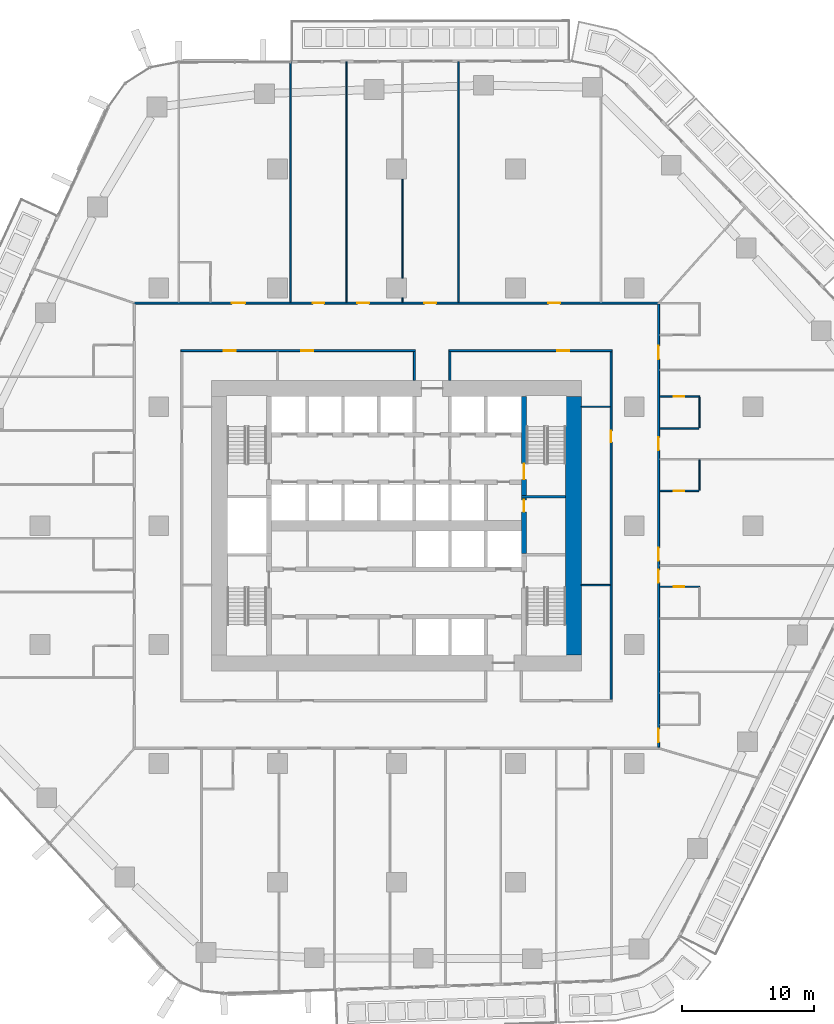
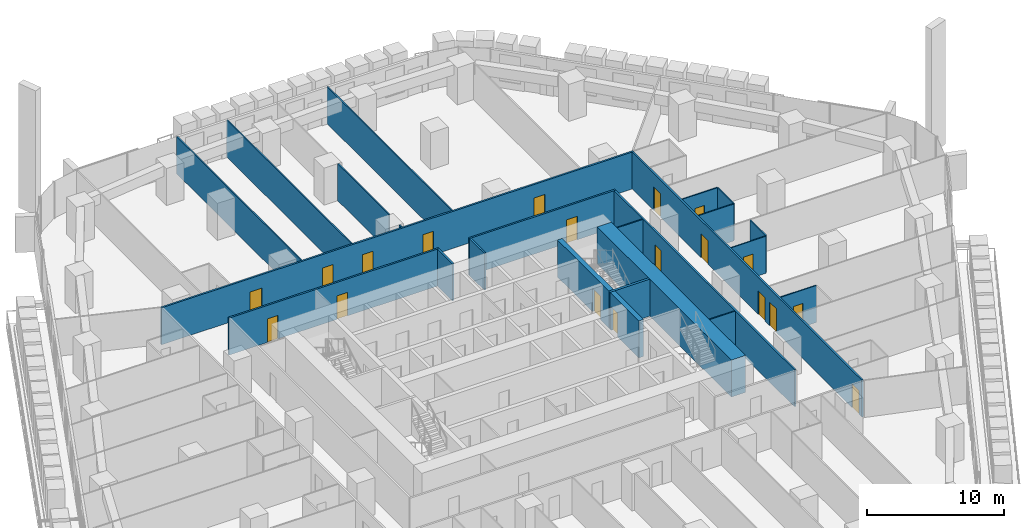
# One storey, part 17 of 27: 24 walls, 19 doors, 19 openings.
"""IFC4 building model written with IfcOpenShell, lengths in metres."""

from ifc_helpers import new_model, si_unit, direction, frame, frame_2d, origin, place, context, subcontext, project, spatial, rectangle, extrude, material, layer, layer_set, type_object, element, fill, save


model = new_model("IFC4")

# Units and contexts
model_context = context("Model", 3, precision=1e-05, world=origin(), true_north=direction((0.0, 1.0)))
body_context = subcontext(model_context, "Body", "Model", "MODEL_VIEW")
ifc_project = project(units=[si_unit("LENGTHUNIT", "METRE"), si_unit("AREAUNIT", "SQUARE_METRE"), si_unit("VOLUMEUNIT", "CUBIC_METRE"), si_unit("PLANEANGLEUNIT", "RADIAN"), si_unit("MASSUNIT", "GRAM", prefix="KILO")], contexts=[model_context])

# Site, building, storey
site_placement = place(None, origin())
site = spatial("IfcSite", under=ifc_project, at=site_placement, CompositionType="ELEMENT")
building_placement = place(site_placement, origin())
building = spatial("IfcBuilding", under=site, at=building_placement, Name="Dongbaek Canopy Tower", CompositionType="ELEMENT")
storey_placement = place(building_placement, frame((0.0, 0.0, 55.10009765625)))
storey = spatial("IfcBuildingStorey", under=building, at=storey_placement, Name="L09", CompositionType="ELEMENT", Elevation=55.10009765625)

# Wall
ifc_material_1 = material(Name="Concrete C60/75", Category="concrete")
ifc_layer_1 = layer(ifc_material_1, 1.199951171875)
ifc_layer_set_1 = layer_set([ifc_layer_1], Name="Core outer wall 1200 Concrete C60/75")
wall_type_1 = type_object("IfcWallType", Name="Core outer wall 1200 Concrete C60/75", PredefinedType="SHEAR", material=ifc_layer_set_1)
wall_1_placement = place(storey_placement, frame((13.39990234375, 9.800048828125, 0.0), z_axis=(0.0, 0.0, 1.0), x_axis=(0.0, -1.0, 0.0)))
element("IfcWall", 1, at=wall_1_placement, inside=storey, type_object=wall_type_1, Name="Core wall", PredefinedType="SHEAR", context=body_context, shape_type="SweptSolid", body=[
    extrude(rectangle(XDim=19.60009765625, YDim=1.199951171875, at=frame_2d((9.800048828125, 0.0))), origin(), (0.0, 0.0, 1.0), 3.2998046875),
])

# Wall, openings, doors
ifc_material_2 = material(Name="Gypsum board partition, steel stud, 2 x 15 mm fire board", Category="steel")
ifc_layer_2 = layer(ifc_material_2, 0.14990234375)
ifc_layer_set_2 = layer_set([ifc_layer_2], Name="Fire-rated partition 150 gypsum board")
wall_type_2 = type_object("IfcWallType", Name="Fire-rated partition 150 gypsum board", PredefinedType="PARTITIONING", material=ifc_layer_set_2)
wall_2_placement = place(storey_placement, frame((1.425048828125, 13.25, 0.0), z_axis=(0.0, 0.0, 1.0), x_axis=(-1.0, 0.0, 0.0)))
wall_2 = element("IfcWall", 2, at=wall_2_placement, inside=storey, type_object=wall_type_2, Name="Corridor partition", PredefinedType="PARTITIONING", context=body_context, shape_type="SweptSolid", body=[
    extrude(rectangle(XDim=17.75, YDim=0.14990234375, at=frame_2d((8.875, 0.0))), origin(), (0.0, 0.0, 1.0), 3.2998046875),
])
opening_1_placement = place(wall_2_placement, frame((7.72509765625, 0.0, 0.0)))
opening_1 = element("IfcOpeningElement", 3, at=opening_1_placement, cuts=wall_2, Name="Opening L09-D041", PredefinedType="OPENING", context=body_context, shape_type="SweptSolid", body=[
    extrude(rectangle(XDim=0.89990234375, YDim=2.10009765625, at=frame_2d((0.449951171875, 1.050048828125))), frame((0.0, 0.0849609375, 0.0), z_axis=(0.0, -1.0, 0.0), x_axis=(1.0, 0.0, 0.0)), (0.0, 0.0, 1.0), 0.169921875),
])
opening_2_placement = place(wall_2_placement, frame((13.60009765625, 0.0, 0.0)))
opening_2 = element("IfcOpeningElement", 4, at=opening_2_placement, cuts=wall_2, Name="Opening L09-D042", PredefinedType="OPENING", context=body_context, shape_type="SweptSolid", body=[
    extrude(rectangle(XDim=0.89990234375, YDim=2.10009765625, at=frame_2d((0.449951171875, 1.050048828125))), frame((0.0, 0.0849609375, 0.0), z_axis=(0.0, -1.0, 0.0), x_axis=(1.0, 0.0, 0.0)), (0.0, 0.0, 1.0), 0.169921875),
])
ifc_material_3 = material(Name="Timber veneered door leaf", Category="wood")
door_type_1 = type_object("IfcDoorType", Name="Room door 900 x 2100", OperationType="SINGLE_SWING_LEFT", PredefinedType="DOOR", material=ifc_material_3)
door_1_placement = place(opening_1_placement, origin())
door_1 = element("IfcDoor", 5, at=door_1_placement, inside=storey, type_object=door_type_1, Name="Door L09-D041", OperationType="SINGLE_SWING_RIGHT", OverallHeight=2.10009765625, OverallWidth=0.89990234375, PredefinedType="DOOR", context=body_context, shape_type="SweptSolid", body=[
    extrude(rectangle(XDim=0.89990234375, YDim=2.10009765625, at=frame_2d((0.449951171875, 1.050048828125))), frame((0.0, 0.02490234375, 0.0), z_axis=(0.0, -1.0, 0.0), x_axis=(1.0, 0.0, 0.0)), (0.0, 0.0, 1.0), 0.050048828125),
])
fill(opening_1, door_1)
door_2_placement = place(opening_2_placement, origin())
door_2 = element("IfcDoor", 6, at=door_2_placement, inside=storey, type_object=door_type_1, Name="Door L09-D042", OperationType="SINGLE_SWING_LEFT", OverallHeight=2.10009765625, OverallWidth=0.89990234375, PredefinedType="DOOR", context=body_context, shape_type="SweptSolid", body=[
    extrude(rectangle(XDim=0.89990234375, YDim=2.10009765625, at=frame_2d((0.449951171875, 1.050048828125))), frame((0.0, 0.02490234375, 0.0), z_axis=(0.0, -1.0, 0.0), x_axis=(1.0, 0.0, 0.0)), (0.0, 0.0, 1.0), 0.050048828125),
])
fill(opening_2, door_2)

# Wall, opening, door
wall_3_placement = place(storey_placement, frame((16.324951171875, 13.25, 0.0), z_axis=(0.0, 0.0, 1.0), x_axis=(-1.0, 0.0, 0.0)))
wall_3 = element("IfcWall", 7, at=wall_3_placement, inside=storey, type_object=wall_type_2, Name="Corridor partition", PredefinedType="PARTITIONING", context=body_context, shape_type="SweptSolid", body=[
    extrude(rectangle(XDim=12.349853515625, YDim=0.14990234375, at=frame_2d((6.1748046875, 0.0))), origin(), (0.0, 0.0, 1.0), 3.2998046875),
])
opening_3_placement = place(wall_3_placement, frame((3.25, 0.0, 0.0)))
opening_3 = element("IfcOpeningElement", 8, at=opening_3_placement, cuts=wall_3, Name="Opening L09-D040", PredefinedType="OPENING", context=body_context, shape_type="SweptSolid", body=[
    extrude(rectangle(XDim=0.89990234375, YDim=2.10009765625, at=frame_2d((0.449951171875, 1.050048828125))), frame((0.0, 0.0849609375, 0.0), z_axis=(0.0, -1.0, 0.0), x_axis=(1.0, 0.0, 0.0)), (0.0, 0.0, 1.0), 0.169921875),
])
door_3_placement = place(opening_3_placement, origin())
door_3 = element("IfcDoor", 9, at=door_3_placement, inside=storey, type_object=door_type_1, Name="Door L09-D040", OperationType="SINGLE_SWING_LEFT", OverallHeight=2.10009765625, OverallWidth=0.89990234375, PredefinedType="DOOR", context=body_context, shape_type="SweptSolid", body=[
    extrude(rectangle(XDim=0.89990234375, YDim=2.10009765625, at=frame_2d((0.449951171875, 1.050048828125))), frame((0.0, 0.02490234375, 0.0), z_axis=(0.0, -1.0, 0.0), x_axis=(1.0, 0.0, 0.0)), (0.0, 0.0, 1.0), 0.050048828125),
])
fill(opening_3, door_3)

# Wall, openings, doors
wall_4_placement = place(storey_placement, frame((-19.925048828125, 16.85009765625, 0.0), z_axis=(0.0, 0.0, 1.0), x_axis=(1.0, 0.0, 0.0)))
wall_4 = element("IfcWall", 10, at=wall_4_placement, inside=storey, type_object=wall_type_2, Name="Corridor partition", PredefinedType="PARTITIONING", context=body_context, shape_type="SweptSolid", body=[
    extrude(rectangle(XDim=39.85009765625, YDim=0.14990234375, at=frame_2d((19.925048828125, 0.0))), origin(), (0.0, 0.0, 1.0), 3.2998046875),
])
opening_4_placement = place(wall_4_placement, frame((31.43310546875, 0.0, 0.0)))
opening_4 = element("IfcOpeningElement", 11, at=opening_4_placement, cuts=wall_4, Name="Opening L09-D025", PredefinedType="OPENING", context=body_context, shape_type="SweptSolid", body=[
    extrude(rectangle(XDim=0.89990234375, YDim=2.10009765625, at=frame_2d((0.449951171875, 1.050048828125))), frame((0.0, 0.0849609375, 0.0), z_axis=(0.0, -1.0, 0.0), x_axis=(1.0, 0.0, 0.0)), (0.0, 0.0, 1.0), 0.169921875),
])
opening_5_placement = place(wall_4_placement, frame((22.043212890625, 0.0, 0.0)))
opening_5 = element("IfcOpeningElement", 12, at=opening_5_placement, cuts=wall_4, Name="Opening L09-D026", PredefinedType="OPENING", context=body_context, shape_type="SweptSolid", body=[
    extrude(rectangle(XDim=0.89990234375, YDim=2.10009765625, at=frame_2d((0.449951171875, 1.050048828125))), frame((0.0, 0.0849609375, 0.0), z_axis=(0.0, -1.0, 0.0), x_axis=(1.0, 0.0, 0.0)), (0.0, 0.0, 1.0), 0.169921875),
])
opening_6_placement = place(wall_4_placement, frame((16.95703125, 0.0, 0.0)))
opening_6 = element("IfcOpeningElement", 13, at=opening_6_placement, cuts=wall_4, Name="Opening L09-D027", PredefinedType="OPENING", context=body_context, shape_type="SweptSolid", body=[
    extrude(rectangle(XDim=0.89990234375, YDim=2.10009765625, at=frame_2d((0.449951171875, 1.050048828125))), frame((0.0, 0.0849609375, 0.0), z_axis=(0.0, -1.0, 0.0), x_axis=(1.0, 0.0, 0.0)), (0.0, 0.0, 1.0), 0.169921875),
])
opening_7_placement = place(wall_4_placement, frame((13.572265625, 0.0, 0.0)))
opening_7 = element("IfcOpeningElement", 14, at=opening_7_placement, cuts=wall_4, Name="Opening L09-D028", PredefinedType="OPENING", context=body_context, shape_type="SweptSolid", body=[
    extrude(rectangle(XDim=0.89990234375, YDim=2.10009765625, at=frame_2d((0.449951171875, 1.050048828125))), frame((0.0, 0.0849609375, 0.0), z_axis=(0.0, -1.0, 0.0), x_axis=(1.0, 0.0, 0.0)), (0.0, 0.0, 1.0), 0.169921875),
])
opening_8_placement = place(wall_4_placement, frame((7.45849609375, 0.0, 0.0)))
opening_8 = element("IfcOpeningElement", 15, at=opening_8_placement, cuts=wall_4, Name="Opening L09-D030", PredefinedType="OPENING", context=body_context, shape_type="SweptSolid", body=[
    extrude(rectangle(XDim=1.0, YDim=2.10009765625, at=frame_2d((0.5, 1.050048828125))), frame((0.0, 0.0849609375, 0.0), z_axis=(0.0, -1.0, 0.0), x_axis=(1.0, 0.0, 0.0)), (0.0, 0.0, 1.0), 0.169921875),
])
ifc_material_4 = material(Name="Timber veneered door leaf", Category="wood")
door_type_2 = type_object("IfcDoorType", Name="Guest room door 1000 x 2100", OperationType="SINGLE_SWING_LEFT", PredefinedType="DOOR", material=ifc_material_4)
door_4_placement = place(opening_8_placement, origin())
door_4 = element("IfcDoor", 16, at=door_4_placement, inside=storey, type_object=door_type_2, Name="Door L09-D030", OperationType="SINGLE_SWING_LEFT", OverallHeight=2.10009765625, OverallWidth=1.0, PredefinedType="DOOR", context=body_context, shape_type="SweptSolid", body=[
    extrude(rectangle(XDim=1.0, YDim=2.10009765625, at=frame_2d((0.5, 1.050048828125))), frame((0.0, 0.02490234375, 0.0), z_axis=(0.0, -1.0, 0.0), x_axis=(1.0, 0.0, 0.0)), (0.0, 0.0, 1.0), 0.050048828125),
])
fill(opening_8, door_4)
door_5_placement = place(opening_4_placement, origin())
door_5 = element("IfcDoor", 17, at=door_5_placement, inside=storey, type_object=door_type_1, Name="Door L09-D025", OperationType="SINGLE_SWING_LEFT", OverallHeight=2.10009765625, OverallWidth=0.89990234375, PredefinedType="DOOR", context=body_context, shape_type="SweptSolid", body=[
    extrude(rectangle(XDim=0.89990234375, YDim=2.10009765625, at=frame_2d((0.449951171875, 1.050048828125))), frame((0.0, 0.02490234375, 0.0), z_axis=(0.0, -1.0, 0.0), x_axis=(1.0, 0.0, 0.0)), (0.0, 0.0, 1.0), 0.050048828125),
])
fill(opening_4, door_5)
door_6_placement = place(opening_5_placement, origin())
door_6 = element("IfcDoor", 18, at=door_6_placement, inside=storey, type_object=door_type_1, Name="Door L09-D026", OperationType="SINGLE_SWING_RIGHT", OverallHeight=2.10009765625, OverallWidth=0.89990234375, PredefinedType="DOOR", context=body_context, shape_type="SweptSolid", body=[
    extrude(rectangle(XDim=0.89990234375, YDim=2.10009765625, at=frame_2d((0.449951171875, 1.050048828125))), frame((0.0, 0.02490234375, 0.0), z_axis=(0.0, -1.0, 0.0), x_axis=(1.0, 0.0, 0.0)), (0.0, 0.0, 1.0), 0.050048828125),
])
fill(opening_5, door_6)
door_7_placement = place(opening_6_placement, origin())
door_7 = element("IfcDoor", 19, at=door_7_placement, inside=storey, type_object=door_type_1, Name="Door L09-D027", OperationType="SINGLE_SWING_LEFT", OverallHeight=2.10009765625, OverallWidth=0.89990234375, PredefinedType="DOOR", context=body_context, shape_type="SweptSolid", body=[
    extrude(rectangle(XDim=0.89990234375, YDim=2.10009765625, at=frame_2d((0.449951171875, 1.050048828125))), frame((0.0, 0.02490234375, 0.0), z_axis=(0.0, -1.0, 0.0), x_axis=(1.0, 0.0, 0.0)), (0.0, 0.0, 1.0), 0.050048828125),
])
fill(opening_6, door_7)
door_8_placement = place(opening_7_placement, origin())
door_8 = element("IfcDoor", 20, at=door_8_placement, inside=storey, type_object=door_type_1, Name="Door L09-D028", OperationType="SINGLE_SWING_RIGHT", OverallHeight=2.10009765625, OverallWidth=0.89990234375, PredefinedType="DOOR", context=body_context, shape_type="SweptSolid", body=[
    extrude(rectangle(XDim=0.89990234375, YDim=2.10009765625, at=frame_2d((0.449951171875, 1.050048828125))), frame((0.0, 0.02490234375, 0.0), z_axis=(0.0, -1.0, 0.0), x_axis=(1.0, 0.0, 0.0)), (0.0, 0.0, 1.0), 0.050048828125),
])
fill(opening_7, door_8)

wall_5_placement = place(storey_placement, frame((19.85009765625, 16.77490234375, 0.0), z_axis=(0.0, 0.0, 1.0), x_axis=(0.0, -1.0, 0.0)))
wall_5 = element("IfcWall", 21, at=wall_5_placement, inside=storey, type_object=wall_type_2, Name="Corridor partition", PredefinedType="PARTITIONING", context=body_context, shape_type="SweptSolid", body=[
    extrude(rectangle(XDim=33.5498046875, YDim=0.14990234375, at=frame_2d((16.77490234375, 0.0))), origin(), (0.0, 0.0, 1.0), 3.2998046875),
])
opening_9_placement = place(wall_5_placement, frame((32.15771484375, 0.0, 0.0)))
opening_9 = element("IfcOpeningElement", 22, at=opening_9_placement, cuts=wall_5, Name="Opening L09-D016", PredefinedType="OPENING", context=body_context, shape_type="SweptSolid", body=[
    extrude(rectangle(XDim=1.0, YDim=2.10009765625, at=frame_2d((0.5, 1.050048828125))), frame((0.0, 0.0849609375, 0.0), z_axis=(0.0, -1.0, 0.0), x_axis=(1.0, 0.0, 0.0)), (0.0, 0.0, 1.0), 0.169921875),
])
opening_10_placement = place(wall_5_placement, frame((20.093505859375, 0.0, 0.0)))
opening_10 = element("IfcOpeningElement", 23, at=opening_10_placement, cuts=wall_5, Name="Opening L09-D018", PredefinedType="OPENING", context=body_context, shape_type="SweptSolid", body=[
    extrude(rectangle(XDim=1.0, YDim=2.10009765625, at=frame_2d((0.5, 1.050048828125))), frame((0.0, 0.0849609375, 0.0), z_axis=(0.0, -1.0, 0.0), x_axis=(1.0, 0.0, 0.0)), (0.0, 0.0, 1.0), 0.169921875),
])
opening_11_placement = place(wall_5_placement, frame((18.427978515625, 0.0, 0.0)))
opening_11 = element("IfcOpeningElement", 24, at=opening_11_placement, cuts=wall_5, Name="Opening L09-D020", PredefinedType="OPENING", context=body_context, shape_type="SweptSolid", body=[
    extrude(rectangle(XDim=1.0, YDim=2.10009765625, at=frame_2d((0.5, 1.050048828125))), frame((0.0, 0.0849609375, 0.0), z_axis=(0.0, -1.0, 0.0), x_axis=(1.0, 0.0, 0.0)), (0.0, 0.0, 1.0), 0.169921875),
])
opening_12_placement = place(wall_5_placement, frame((10.072265625, 0.0, 0.0)))
opening_12 = element("IfcOpeningElement", 25, at=opening_12_placement, cuts=wall_5, Name="Opening L09-D022", PredefinedType="OPENING", context=body_context, shape_type="SweptSolid", body=[
    extrude(rectangle(XDim=1.0, YDim=2.10009765625, at=frame_2d((0.5, 1.050048828125))), frame((0.0, 0.0849609375, 0.0), z_axis=(0.0, -1.0, 0.0), x_axis=(1.0, 0.0, 0.0)), (0.0, 0.0, 1.0), 0.169921875),
])
opening_13_placement = place(wall_5_placement, frame((3.15625, 0.0, 0.0)))
opening_13 = element("IfcOpeningElement", 26, at=opening_13_placement, cuts=wall_5, Name="Opening L09-D024", PredefinedType="OPENING", context=body_context, shape_type="SweptSolid", body=[
    extrude(rectangle(XDim=1.0, YDim=2.10009765625, at=frame_2d((0.5, 1.050048828125))), frame((0.0, 0.0849609375, 0.0), z_axis=(0.0, -1.0, 0.0), x_axis=(1.0, 0.0, 0.0)), (0.0, 0.0, 1.0), 0.169921875),
])
door_9_placement = place(opening_9_placement, origin())
door_9 = element("IfcDoor", 27, at=door_9_placement, inside=storey, type_object=door_type_2, Name="Door L09-D016", OperationType="SINGLE_SWING_RIGHT", OverallHeight=2.10009765625, OverallWidth=1.0, PredefinedType="DOOR", context=body_context, shape_type="SweptSolid", body=[
    extrude(rectangle(XDim=1.0, YDim=2.10009765625, at=frame_2d((0.5, 1.050048828125))), frame((0.0, 0.02490234375, 0.0), z_axis=(0.0, -1.0, 0.0), x_axis=(1.0, 0.0, 0.0)), (0.0, 0.0, 1.0), 0.050048828125),
])
fill(opening_9, door_9)
door_10_placement = place(opening_10_placement, origin())
door_10 = element("IfcDoor", 28, at=door_10_placement, inside=storey, type_object=door_type_2, Name="Door L09-D018", OperationType="SINGLE_SWING_RIGHT", OverallHeight=2.10009765625, OverallWidth=1.0, PredefinedType="DOOR", context=body_context, shape_type="SweptSolid", body=[
    extrude(rectangle(XDim=1.0, YDim=2.10009765625, at=frame_2d((0.5, 1.050048828125))), frame((0.0, 0.02490234375, 0.0), z_axis=(0.0, -1.0, 0.0), x_axis=(1.0, 0.0, 0.0)), (0.0, 0.0, 1.0), 0.050048828125),
])
fill(opening_10, door_10)
door_11_placement = place(opening_11_placement, origin())
door_11 = element("IfcDoor", 29, at=door_11_placement, inside=storey, type_object=door_type_2, Name="Door L09-D020", OperationType="SINGLE_SWING_LEFT", OverallHeight=2.10009765625, OverallWidth=1.0, PredefinedType="DOOR", context=body_context, shape_type="SweptSolid", body=[
    extrude(rectangle(XDim=1.0, YDim=2.10009765625, at=frame_2d((0.5, 1.050048828125))), frame((0.0, 0.02490234375, 0.0), z_axis=(0.0, -1.0, 0.0), x_axis=(1.0, 0.0, 0.0)), (0.0, 0.0, 1.0), 0.050048828125),
])
fill(opening_11, door_11)
door_12_placement = place(opening_12_placement, origin())
door_12 = element("IfcDoor", 30, at=door_12_placement, inside=storey, type_object=door_type_2, Name="Door L09-D022", OperationType="SINGLE_SWING_RIGHT", OverallHeight=2.10009765625, OverallWidth=1.0, PredefinedType="DOOR", context=body_context, shape_type="SweptSolid", body=[
    extrude(rectangle(XDim=1.0, YDim=2.10009765625, at=frame_2d((0.5, 1.050048828125))), frame((0.0, 0.02490234375, 0.0), z_axis=(0.0, -1.0, 0.0), x_axis=(1.0, 0.0, 0.0)), (0.0, 0.0, 1.0), 0.050048828125),
])
fill(opening_12, door_12)
door_13_placement = place(opening_13_placement, origin())
door_13 = element("IfcDoor", 31, at=door_13_placement, inside=storey, type_object=door_type_2, Name="Door L09-D024", OperationType="SINGLE_SWING_LEFT", OverallHeight=2.10009765625, OverallWidth=1.0, PredefinedType="DOOR", context=body_context, shape_type="SweptSolid", body=[
    extrude(rectangle(XDim=1.0, YDim=2.10009765625, at=frame_2d((0.5, 1.050048828125))), frame((0.0, 0.02490234375, 0.0), z_axis=(0.0, -1.0, 0.0), x_axis=(1.0, 0.0, 0.0)), (0.0, 0.0, 1.0), 0.050048828125),
])
fill(opening_13, door_13)

# Wall, opening, door
wall_6_placement = place(storey_placement, frame((16.25, -13.175048828125, 0.0), z_axis=(0.0, 0.0, 1.0), x_axis=(0.0, 1.0, 0.0)))
wall_6 = element("IfcWall", 32, at=wall_6_placement, inside=storey, type_object=wall_type_2, Name="Corridor partition", PredefinedType="PARTITIONING", context=body_context, shape_type="SweptSolid", body=[
    extrude(rectangle(XDim=26.35009765625, YDim=0.14990234375, at=frame_2d((13.175048828125, 0.0))), origin(), (0.0, 0.0, 1.0), 3.2998046875),
])
opening_14_placement = place(wall_6_placement, frame((19.47509765625, 0.0, 0.0)))
opening_14 = element("IfcOpeningElement", 33, at=opening_14_placement, cuts=wall_6, Name="Opening L09-D039", PredefinedType="OPENING", context=body_context, shape_type="SweptSolid", body=[
    extrude(rectangle(XDim=0.89990234375, YDim=2.10009765625, at=frame_2d((0.449951171875, 1.050048828125))), frame((0.0, 0.0849609375, 0.0), z_axis=(0.0, -1.0, 0.0), x_axis=(1.0, 0.0, 0.0)), (0.0, 0.0, 1.0), 0.169921875),
])
door_14_placement = place(opening_14_placement, origin())
door_14 = element("IfcDoor", 34, at=door_14_placement, inside=storey, type_object=door_type_1, Name="Door L09-D039", OperationType="SINGLE_SWING_RIGHT", OverallHeight=2.10009765625, OverallWidth=0.89990234375, PredefinedType="DOOR", context=body_context, shape_type="SweptSolid", body=[
    extrude(rectangle(XDim=0.89990234375, YDim=2.10009765625, at=frame_2d((0.449951171875, 1.050048828125))), frame((0.0, 0.02490234375, 0.0), z_axis=(0.0, -1.0, 0.0), x_axis=(1.0, 0.0, 0.0)), (0.0, 0.0, 1.0), 0.050048828125),
])
fill(opening_14, door_14)

# Walls
for number, where, z_axis, x_axis, name in (
    (35, (4.050048828125, 11.0, 0.0), (0.0, 0.0, 1.0), (0.0, 1.0, 0.0), "Corridor partition"),
    (36, (1.35009765625, 11.0, 0.0), (0.0, 0.0, 1.0), (0.0, 1.0, 0.0), "Corridor partition"),
):
    element("IfcWall", number, at=place(storey_placement, frame(where, z_axis=z_axis, x_axis=x_axis)), inside=storey, type_object=wall_type_2, Name=name, PredefinedType="PARTITIONING", context=body_context, shape_type="SweptSolid", body=[
        extrude(rectangle(XDim=2.175048828125, YDim=0.14990234375, at=frame_2d((1.08740234375, 0.0))), origin(), (0.0, 0.0, 1.0), 3.2998046875),
    ])

# Wall, opening, door
ifc_material_5 = material(Name="Gypsum board partition, steel stud, 2 x 12.5 mm board", Category="steel")
ifc_layer_3 = layer(ifc_material_5, 0.10009765625)
ifc_layer_set_3 = layer_set([ifc_layer_3], Name="Partition 100 gypsum board")
wall_type_3 = type_object("IfcWallType", Name="Partition 100 gypsum board", PredefinedType="PARTITIONING", material=ifc_layer_set_3)
wall_7_placement = place(storey_placement, frame((22.949951171875, -4.6298828125, 0.0), z_axis=(0.0, 0.0, 1.0), x_axis=(-1.0, 0.0, 0.0)))
wall_7 = element("IfcWall", 37, at=wall_7_placement, inside=storey, type_object=wall_type_3, Name="Partition", PredefinedType="PARTITIONING", context=body_context, shape_type="SweptSolid", body=[
    extrude(rectangle(XDim=3.02490234375, YDim=0.10009765625, at=frame_2d((1.512451171875, 0.0))), origin(), (0.0, 0.0, 1.0), 3.2998046875),
])
opening_15_placement = place(wall_7_placement, frame((1.14990234375, 0.0, 0.0)))
opening_15 = element("IfcOpeningElement", 38, at=opening_15_placement, cuts=wall_7, Name="Opening L09-D017", PredefinedType="OPENING", context=body_context, shape_type="SweptSolid", body=[
    extrude(rectangle(XDim=0.800048828125, YDim=2.10009765625, at=frame_2d((0.39990234375, 1.050048828125))), frame((0.0, 0.06005859375, 0.0), z_axis=(0.0, -1.0, 0.0), x_axis=(1.0, 0.0, 0.0)), (0.0, 0.0, 1.0), 0.1201171875),
])
ifc_material_6 = material(Name="Timber veneered door leaf", Category="wood")
door_type_3 = type_object("IfcDoorType", Name="En-suite door 800 x 2100", OperationType="SINGLE_SWING_LEFT", PredefinedType="DOOR", material=ifc_material_6)
door_15_placement = place(opening_15_placement, origin())
door_15 = element("IfcDoor", 39, at=door_15_placement, inside=storey, type_object=door_type_3, Name="Door L09-D017", OperationType="SINGLE_SWING_LEFT", OverallHeight=2.10009765625, OverallWidth=0.800048828125, PredefinedType="DOOR", context=body_context, shape_type="SweptSolid", body=[
    extrude(rectangle(XDim=0.800048828125, YDim=2.10009765625, at=frame_2d((0.39990234375, 1.050048828125))), frame((0.0, 0.02490234375, 0.0), z_axis=(0.0, -1.0, 0.0), x_axis=(1.0, 0.0, 0.0)), (0.0, 0.0, 1.0), 0.050048828125),
])
fill(opening_15, door_15)

# Wall
wall_8_placement = place(storey_placement, frame((14.0, -4.5, 0.0), z_axis=(0.0, 0.0, 1.0), x_axis=(1.0, 0.0, 0.0)))
element("IfcWall", 40, at=wall_8_placement, inside=storey, type_object=wall_type_3, Name="Partition", PredefinedType="PARTITIONING", context=body_context, shape_type="SweptSolid", body=[
    extrude(rectangle(XDim=2.175048828125, YDim=0.10009765625, at=frame_2d((1.08740234375, 0.0))), origin(), (0.0, 0.0, 1.0), 3.2998046875),
])

# Wall, opening, door
wall_9_placement = place(storey_placement, frame((19.925048828125, 2.635009765625, 0.0), z_axis=(0.0, 0.0, 1.0), x_axis=(1.0, 0.0, 0.0)))
wall_9 = element("IfcWall", 41, at=wall_9_placement, inside=storey, type_object=wall_type_3, Name="Partition", PredefinedType="PARTITIONING", context=body_context, shape_type="SweptSolid", body=[
    extrude(rectangle(XDim=2.974853515625, YDim=0.10009765625, at=frame_2d((1.4873046875, 0.0))), origin(), (0.0, 0.0, 1.0), 3.2998046875),
])
opening_16_placement = place(wall_9_placement, frame((1.074951171875, 0.0, 0.0)))
opening_16 = element("IfcOpeningElement", 42, at=opening_16_placement, cuts=wall_9, Name="Opening L09-D019", PredefinedType="OPENING", context=body_context, shape_type="SweptSolid", body=[
    extrude(rectangle(XDim=0.800048828125, YDim=2.10009765625, at=frame_2d((0.39990234375, 1.050048828125))), frame((0.0, 0.06005859375, 0.0), z_axis=(0.0, -1.0, 0.0), x_axis=(1.0, 0.0, 0.0)), (0.0, 0.0, 1.0), 0.1201171875),
])
door_16_placement = place(opening_16_placement, origin())
door_16 = element("IfcDoor", 43, at=door_16_placement, inside=storey, type_object=door_type_3, Name="Door L09-D019", OperationType="SINGLE_SWING_RIGHT", OverallHeight=2.10009765625, OverallWidth=0.800048828125, PredefinedType="DOOR", context=body_context, shape_type="SweptSolid", body=[
    extrude(rectangle(XDim=0.800048828125, YDim=2.10009765625, at=frame_2d((0.39990234375, 1.050048828125))), frame((0.0, 0.02490234375, 0.0), z_axis=(0.0, -1.0, 0.0), x_axis=(1.0, 0.0, 0.0)), (0.0, 0.0, 1.0), 0.050048828125),
])
fill(opening_16, door_16)

# Walls
wall_10_placement = place(storey_placement, frame((19.925048828125, 7.37109375, 0.0), z_axis=(0.0, 0.0, 1.0), x_axis=(1.0, 0.0, 0.0)))
element("IfcWall", 44, at=wall_10_placement, inside=storey, type_object=wall_type_3, Name="Partition", PredefinedType="PARTITIONING", context=body_context, shape_type="SweptSolid", body=[
    extrude(rectangle(XDim=2.974853515625, YDim=0.10009765625, at=frame_2d((1.4873046875, 0.0))), origin(), (0.0, 0.0, 1.0), 3.2998046875),
])
wall_11_placement = place(storey_placement, frame((14.0, 9.0, 0.0), z_axis=(0.0, 0.0, 1.0), x_axis=(1.0, 0.0, 0.0)))
element("IfcWall", 45, at=wall_11_placement, inside=storey, type_object=wall_type_3, Name="Partition", PredefinedType="PARTITIONING", context=body_context, shape_type="SweptSolid", body=[
    extrude(rectangle(XDim=2.175048828125, YDim=0.10009765625, at=frame_2d((1.08740234375, 0.0))), origin(), (0.0, 0.0, 1.0), 3.2998046875),
])

# Wall, opening, door
wall_12_placement = place(storey_placement, frame((22.949951171875, 9.77099609375, 0.0), z_axis=(0.0, 0.0, 1.0), x_axis=(-1.0, 0.0, 0.0)))
wall_12 = element("IfcWall", 46, at=wall_12_placement, inside=storey, type_object=wall_type_3, Name="Partition", PredefinedType="PARTITIONING", context=body_context, shape_type="SweptSolid", body=[
    extrude(rectangle(XDim=3.02490234375, YDim=0.10009765625, at=frame_2d((1.512451171875, 0.0))), origin(), (0.0, 0.0, 1.0), 3.2998046875),
])
opening_17_placement = place(wall_12_placement, frame((1.14990234375, 0.0, 0.0)))
opening_17 = element("IfcOpeningElement", 47, at=opening_17_placement, cuts=wall_12, Name="Opening L09-D021", PredefinedType="OPENING", context=body_context, shape_type="SweptSolid", body=[
    extrude(rectangle(XDim=0.800048828125, YDim=2.10009765625, at=frame_2d((0.39990234375, 1.050048828125))), frame((0.0, 0.06005859375, 0.0), z_axis=(0.0, -1.0, 0.0), x_axis=(1.0, 0.0, 0.0)), (0.0, 0.0, 1.0), 0.1201171875),
])
door_17_placement = place(opening_17_placement, origin())
door_17 = element("IfcDoor", 48, at=door_17_placement, inside=storey, type_object=door_type_3, Name="Door L09-D021", OperationType="SINGLE_SWING_LEFT", OverallHeight=2.10009765625, OverallWidth=0.800048828125, PredefinedType="DOOR", context=body_context, shape_type="SweptSolid", body=[
    extrude(rectangle(XDim=0.800048828125, YDim=2.10009765625, at=frame_2d((0.39990234375, 1.050048828125))), frame((0.0, 0.02490234375, 0.0), z_axis=(0.0, -1.0, 0.0), x_axis=(1.0, 0.0, 0.0)), (0.0, 0.0, 1.0), 0.050048828125),
])
fill(opening_17, door_17)

# Walls
for number, where, z_axis, x_axis, name in (
    (49, (22.949951171875, 2.684814453125, 0.0), (0.0, 0.0, 1.0), (0.0, 1.0, 0.0), "Partition"),
    (50, (22.949951171875, 7.4208984375, 0.0), (0.0, 0.0, 1.0), (0.0, 1.0, 0.0), "Partition"),
):
    element("IfcWall", number, at=place(storey_placement, frame(where, z_axis=z_axis, x_axis=x_axis)), inside=storey, type_object=wall_type_3, Name=name, PredefinedType="PARTITIONING", context=body_context, shape_type="SweptSolid", body=[
        extrude(rectangle(XDim=2.2998046875, YDim=0.10009765625, at=frame_2d((1.14990234375, 0.0))), origin(), (0.0, 0.0, 1.0), 3.2998046875),
    ])
wall_13_placement = place(storey_placement, frame((4.68603515625, 16.925048828125, 0.0), z_axis=(0.0, 0.0, 1.0), x_axis=(0.0, 1.0, 0.0)))
element("IfcWall", 51, at=wall_13_placement, inside=storey, type_object=wall_type_3, Name="Partition", PredefinedType="PARTITIONING", context=body_context, shape_type="SweptSolid", body=[
    extrude(rectangle(XDim=18.224853515625, YDim=0.10009765625, at=frame_2d((9.1123046875, 0.0))), origin(), (0.0, 0.0, 1.0), 3.2998046875),
])
wall_14_placement = place(storey_placement, frame((0.450927734375, 16.925048828125, 0.0), z_axis=(0.0, 0.0, 1.0), x_axis=(0.0, 1.0, 0.0)))
element("IfcWall", 52, at=wall_14_placement, inside=storey, type_object=wall_type_3, Name="Partition", PredefinedType="PARTITIONING", context=body_context, shape_type="SweptSolid", body=[
    extrude(rectangle(XDim=0.324951171875, YDim=0.10009765625, at=frame_2d((0.16259765625, 0.0))), origin(), (0.0, 0.0, 1.0), 3.2998046875),
])
wall_15_placement = place(storey_placement, frame((0.450927734375, 18.75, 0.0), z_axis=(0.0, 0.0, 1.0), x_axis=(0.0, 1.0, 0.0)))
element("IfcWall", 53, at=wall_15_placement, inside=storey, type_object=wall_type_3, Name="Partition", PredefinedType="PARTITIONING", context=body_context, shape_type="SweptSolid", body=[
    extrude(rectangle(XDim=7.5, YDim=0.10009765625, at=frame_2d((3.75, 0.0))), origin(), (0.0, 0.0, 1.0), 3.2998046875),
])
wall_16_placement = place(storey_placement, frame((-3.784912109375, 16.925048828125, 0.0), z_axis=(0.0, 0.0, 1.0), x_axis=(0.0, 1.0, 0.0)))
element("IfcWall", 54, at=wall_16_placement, inside=storey, type_object=wall_type_3, Name="Partition", PredefinedType="PARTITIONING", context=body_context, shape_type="SweptSolid", body=[
    extrude(rectangle(XDim=18.202392578125, YDim=0.10009765625, at=frame_2d((9.10107421875, 0.0))), origin(), (0.0, 0.0, 1.0), 3.2998046875),
])
wall_17_placement = place(storey_placement, frame((-8.02001953125, 16.925048828125, 0.0), z_axis=(0.0, 0.0, 1.0), x_axis=(0.0, 1.0, 0.0)))
element("IfcWall", 55, at=wall_17_placement, inside=storey, type_object=wall_type_3, Name="Partition", PredefinedType="PARTITIONING", context=body_context, shape_type="SweptSolid", body=[
    extrude(rectangle(XDim=18.191162109375, YDim=0.10009765625, at=frame_2d((9.095703125, 0.0))), origin(), (0.0, 0.0, 1.0), 3.2998046875),
])
ifc_material_7 = material(Name="Concrete C60/75", Category="concrete")
ifc_layer_4 = layer(ifc_material_7, 0.199951171875)
ifc_layer_set_4 = layer_set([ifc_layer_4], Name="Riser wall 200 Concrete C60/75")
wall_type_4 = type_object("IfcWallType", Name="Riser wall 200 Concrete C60/75", PredefinedType="SHEAR", material=ifc_layer_set_4)
wall_18_placement = place(storey_placement, frame((9.449951171875, 2.199951171875, 0.0), z_axis=(0.0, 0.0, 1.0), x_axis=(1.0, 0.0, 0.0)))
element("IfcWall", 56, at=wall_18_placement, inside=storey, type_object=wall_type_4, Name="Riser wall", PredefinedType="SHEAR", context=body_context, shape_type="SweptSolid", body=[
    extrude(rectangle(XDim=3.35009765625, YDim=0.199951171875, at=frame_2d((1.675048828125, 0.0))), origin(), (0.0, 0.0, 1.0), 3.2998046875),
])

# Wall, opening, door
ifc_material_8 = material(Name="Concrete C60/75", Category="concrete")
ifc_layer_5 = layer(ifc_material_8, 0.39990234375)
ifc_layer_set_5 = layer_set([ifc_layer_5], Name="Stair wall 400 Concrete C60/75")
wall_type_5 = type_object("IfcWallType", Name="Stair wall 400 Concrete C60/75", PredefinedType="SHEAR", material=ifc_layer_set_5)
wall_19_placement = place(storey_placement, frame((9.64990234375, 2.10009765625, 0.0), z_axis=(0.0, 0.0, 1.0), x_axis=(0.0, -1.0, 0.0)))
wall_19 = element("IfcWall", 57, at=wall_19_placement, inside=storey, type_object=wall_type_5, Name="Stair wall", PredefinedType="SHEAR", context=body_context, shape_type="SweptSolid", body=[
    extrude(rectangle(XDim=4.2001953125, YDim=0.39990234375, at=frame_2d((2.10009765625, 0.0))), origin(), (0.0, 0.0, 1.0), 3.2998046875),
])
opening_18_placement = place(wall_19_placement, frame((0.14990234375, 0.0, 0.0)))
opening_18 = element("IfcOpeningElement", 58, at=opening_18_placement, cuts=wall_19, Name="Opening L09-D044", PredefinedType="OPENING", context=body_context, shape_type="SweptSolid", body=[
    extrude(rectangle(XDim=0.89990234375, YDim=2.10009765625, at=frame_2d((0.449951171875, 1.050048828125))), frame((0.0, 0.2099609375, 0.0), z_axis=(0.0, -1.0, 0.0), x_axis=(1.0, 0.0, 0.0)), (0.0, 0.0, 1.0), 0.419921875),
])
ifc_material_9 = material(Name="Steel", Category="steel")
door_type_4 = type_object("IfcDoorType", Name="Core room door 900 x 2100", OperationType="SINGLE_SWING_LEFT", PredefinedType="DOOR", material=ifc_material_9)
door_18_placement = place(opening_18_placement, origin())
door_18 = element("IfcDoor", 59, at=door_18_placement, inside=storey, type_object=door_type_4, Name="Door L09-D044", OperationType="SINGLE_SWING_RIGHT", OverallHeight=2.10009765625, OverallWidth=0.89990234375, PredefinedType="DOOR", context=body_context, shape_type="SweptSolid", body=[
    extrude(rectangle(XDim=0.89990234375, YDim=2.10009765625, at=frame_2d((0.449951171875, 1.050048828125))), frame((0.0, 0.02490234375, 0.0), z_axis=(0.0, -1.0, 0.0), x_axis=(1.0, 0.0, 0.0)), (0.0, 0.0, 1.0), 0.050048828125),
])
fill(opening_18, door_18)

wall_20_placement = place(storey_placement, frame((9.64990234375, 9.800048828125, 0.0), z_axis=(0.0, 0.0, 1.0), x_axis=(0.0, -1.0, 0.0)))
wall_20 = element("IfcWall", 60, at=wall_20_placement, inside=storey, type_object=wall_type_5, Name="Stair wall", PredefinedType="SHEAR", context=body_context, shape_type="SweptSolid", body=[
    extrude(rectangle(XDim=7.5, YDim=0.39990234375, at=frame_2d((3.75, 0.0))), origin(), (0.0, 0.0, 1.0), 3.2998046875),
])
opening_19_placement = place(wall_20_placement, frame((5.10009765625, 0.0, 0.0)))
opening_19 = element("IfcOpeningElement", 61, at=opening_19_placement, cuts=wall_20, Name="Opening L09-D068", PredefinedType="OPENING", context=body_context, shape_type="SweptSolid", body=[
    extrude(rectangle(XDim=1.199951171875, YDim=2.10009765625, at=frame_2d((0.60009765625, 1.050048828125))), frame((0.0, 0.2099609375, 0.0), z_axis=(0.0, -1.0, 0.0), x_axis=(1.0, 0.0, 0.0)), (0.0, 0.0, 1.0), 0.419921875),
])
ifc_material_10 = material(Name="Steel", Category="steel")
door_type_5 = type_object("IfcDoorType", Name="Stair door 1200 x 2100", OperationType="SINGLE_SWING_LEFT", PredefinedType="DOOR", material=ifc_material_10)
door_19_placement = place(opening_19_placement, origin())
door_19 = element("IfcDoor", 62, at=door_19_placement, inside=storey, type_object=door_type_5, Name="Stair A door", OperationType="SINGLE_SWING_LEFT", OverallHeight=2.10009765625, OverallWidth=1.199951171875, PredefinedType="DOOR", context=body_context, shape_type="SweptSolid", body=[
    extrude(rectangle(XDim=1.199951171875, YDim=2.10009765625, at=frame_2d((0.60009765625, 1.050048828125))), frame((0.0, 0.02490234375, 0.0), z_axis=(0.0, -1.0, 0.0), x_axis=(1.0, 0.0, 0.0)), (0.0, 0.0, 1.0), 0.050048828125),
])
fill(opening_19, door_19)

save(model, "model.ifc")
